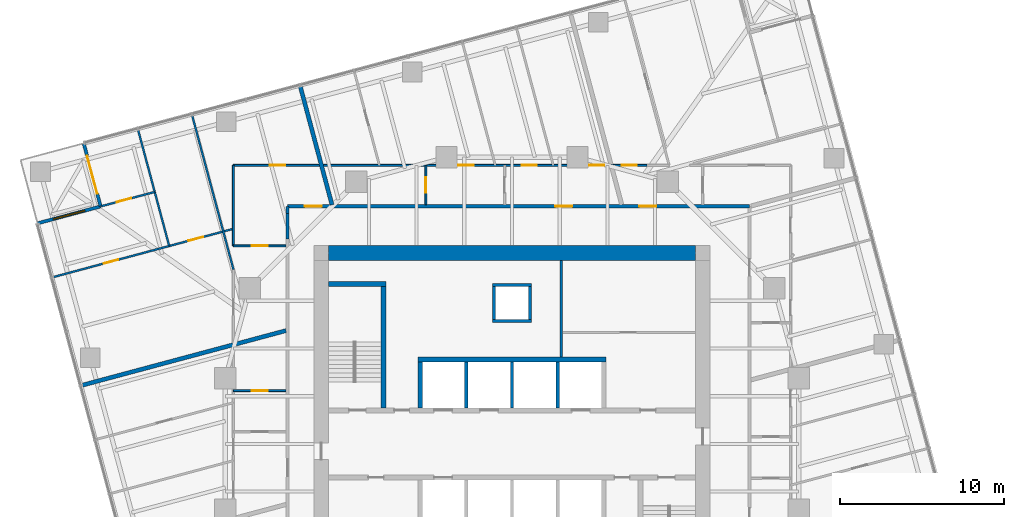
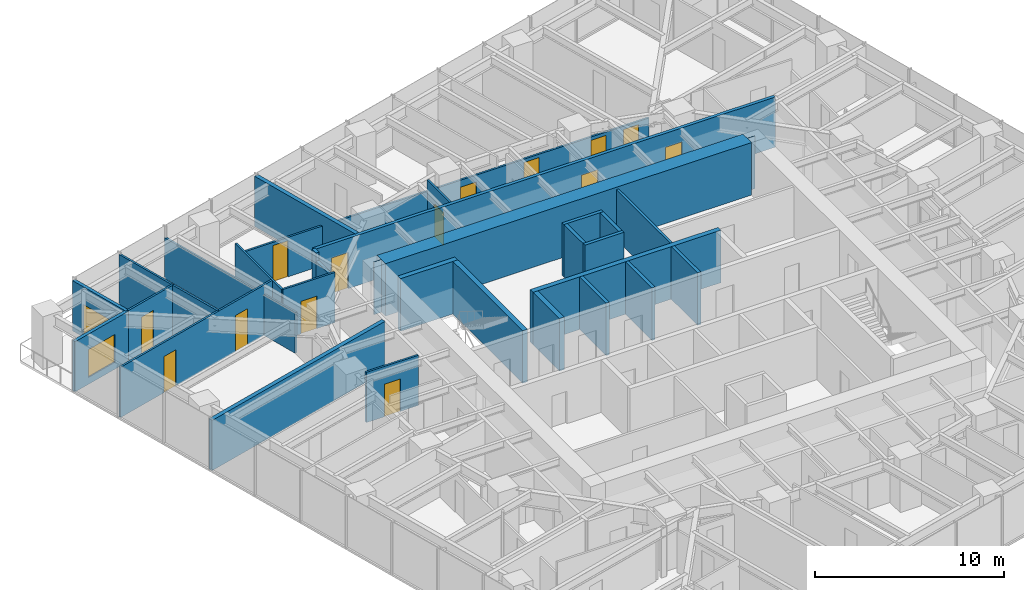
# One storey, part 11 of 13: 29 walls, 15 doors, 1 window, 16 openings.
"""IFC4 building model written with IfcOpenShell, lengths in metres."""

from ifc_helpers import new_model, si_unit, direction, frame, frame_2d, origin, place, context, subcontext, project, spatial, polyline, rectangle, outline, extrude, material, layer, layer_set, type_object, element, fill, save


model = new_model("IFC4")

# Units and contexts
model_context = context("Model", 3, precision=1e-05, world=origin(), true_north=direction((0.0, 1.0)))
body_context = subcontext(model_context, "Body", "Model", "MODEL_VIEW")
ifc_project = project(units=[si_unit("LENGTHUNIT", "METRE"), si_unit("AREAUNIT", "SQUARE_METRE"), si_unit("VOLUMEUNIT", "CUBIC_METRE"), si_unit("PLANEANGLEUNIT", "RADIAN"), si_unit("MASSUNIT", "GRAM", prefix="KILO")], contexts=[model_context])

# Site, building, storey
site_placement = place(None, origin())
site = spatial("IfcSite", under=ifc_project, at=site_placement, CompositionType="ELEMENT")
building_placement = place(site_placement, origin())
building = spatial("IfcBuilding", under=site, at=building_placement, Name="Torsade Residences", CompositionType="ELEMENT")
storey_placement = place(building_placement, frame((0.0, 0.0, 115.0)))
storey = spatial("IfcBuildingStorey", under=building, at=storey_placement, Name="L31", CompositionType="ELEMENT", Elevation=115.0)

# Walls
ifc_material_1 = material(Name="Concrete 80 MPa", Category="concrete")
ifc_layer_1 = layer(ifc_material_1, 0.300048828125)
ifc_layer_set_1 = layer_set([ifc_layer_1], Name="Concrete 80 MPa")
wall_type_1 = type_object("IfcWallType", Name="CORE INTERNAL WALL 300", PredefinedType="SHEAR", material=ifc_layer_set_1)
wall_1_placement = place(storey_placement, frame((34.25, 35.14990234375, 0.0), z_axis=(0.0, 0.0, 1.0), x_axis=(1.0, 0.0, 0.0)))
element("IfcWall", 1, at=wall_1_placement, inside=storey, type_object=wall_type_1, Name="Core wall BN L31", PredefinedType="SHEAR", context=body_context, shape_type="SweptSolid", body=[
    extrude(rectangle(XDim=11.5, YDim=0.300048828125, at=frame_2d((5.75, 0.0))), origin(), (0.0, 0.0, 1.0), 3.39990234375),
])
wall_2_placement = place(storey_placement, frame((34.39990234375, 32.199951171875, 0.0), z_axis=(0.0, 0.0, 1.0), x_axis=(0.0, 1.0, 0.0)))
element("IfcWall", 2, at=wall_2_placement, inside=storey, type_object=wall_type_1, Name="Core wall DN0 L31", PredefinedType="SHEAR", context=body_context, shape_type="SweptSolid", body=[
    extrude(rectangle(XDim=2.800048828125, YDim=0.300048828125, at=frame_2d((1.39990234375, 0.0))), origin(), (0.0, 0.0, 1.0), 3.39990234375),
])
wall_3_placement = place(storey_placement, frame((32.14990234375, 32.199951171875, 0.0), z_axis=(0.0, 0.0, 1.0), x_axis=(0.0, 1.0, 0.0)))
element("IfcWall", 3, at=wall_3_placement, inside=storey, type_object=wall_type_1, Name="Core wall ST1E L31", PredefinedType="SHEAR", context=body_context, shape_type="SweptSolid", body=[
    extrude(rectangle(XDim=7.699951171875, YDim=0.300048828125, at=frame_2d((3.85009765625, 0.0))), origin(), (0.0, 0.0, 1.0), 3.39990234375),
])
wall_4_placement = place(storey_placement, frame((28.800048828125, 39.75, 0.0), z_axis=(0.0, 0.0, 1.0), x_axis=(1.0, 0.0, 0.0)))
element("IfcWall", 4, at=wall_4_placement, inside=storey, type_object=wall_type_1, Name="Core wall ST1N L31", PredefinedType="SHEAR", context=body_context, shape_type="SweptSolid", body=[
    extrude(rectangle(XDim=3.5, YDim=0.300048828125, at=frame_2d((1.75, 0.0))), origin(), (0.0, 0.0, 1.0), 3.39990234375),
])
ifc_material_2 = material(Name="Concrete 80 MPa", Category="concrete")
ifc_layer_2 = layer(ifc_material_2, 0.89990234375)
ifc_layer_set_2 = layer_set([ifc_layer_2], Name="Concrete 80 MPa")
wall_type_2 = type_object("IfcWallType", Name="CORE WALL 900", PredefinedType="SHEAR", material=ifc_layer_set_2)
wall_5_placement = place(storey_placement, frame((28.800048828125, 41.64990234375, 0.0), z_axis=(0.0, 0.0, 1.0), x_axis=(1.0, 0.0, 0.0)))
element("IfcWall", 5, at=wall_5_placement, inside=storey, type_object=wall_type_2, Name="Core wall N L31", PredefinedType="SHEAR", context=body_context, shape_type="SweptSolid", body=[
    extrude(outline(polyline([(0.0, -0.449951171875), (22.39990234375, -0.449951171875), (22.39990234375, -0.02490234375), (22.849853515625, -0.02490234375), (22.849853515625, 0.02490234375), (22.39990234375, 0.02490234375), (22.39990234375, 0.449951171875), (0.0, 0.449951171875), (0.0, 0.02490234375), (-0.449951171875, 0.02490234375), (-0.449951171875, -0.02490234375), (0.0, -0.02490234375), (0.0, -0.449951171875)])), origin(), (0.0, 0.0, 1.0), 3.39990234375),
])

# Wall, openings, doors
ifc_material_3 = material(Name="Plasterboard on steel stud", Category="steel")
ifc_layer_3 = layer(ifc_material_3, 0.199951171875)
ifc_layer_set_3 = layer_set([ifc_layer_3], Name="Plasterboard on steel stud")
wall_type_3 = type_object("IfcWallType", Name="CORRIDOR WALL 200", PredefinedType="PARTITIONING", material=ifc_layer_set_3)
wall_6_placement = place(storey_placement, frame((54.5, 44.5, 0.0), z_axis=(0.0, 0.0, 1.0), x_axis=(-1.0, 0.0, 0.0)))
wall_6 = element("IfcWall", 6, at=wall_6_placement, inside=storey, type_object=wall_type_3, Name="Corridor wall L31", PredefinedType="PARTITIONING", context=body_context, shape_type="SweptSolid", body=[
    extrude(rectangle(XDim=28.199951171875, YDim=0.199951171875, at=frame_2d((14.10009765625, 0.0))), origin(), (0.0, 0.0, 1.0), 3.25),
])
opening_1_placement = place(wall_6_placement, frame((10.8369140625, 0.0, 0.0)))
opening_1 = element("IfcOpeningElement", 7, at=opening_1_placement, cuts=wall_6, Name="Opening D01", PredefinedType="OPENING", context=body_context, shape_type="SweptSolid", body=[
    extrude(rectangle(XDim=1.02001953125, YDim=2.340087890625, at=frame_2d((0.510009765625, 1.169921875))), frame((0.0, 0.10986328125, 0.0), z_axis=(0.0, -1.0, 0.0), x_axis=(1.0, 0.0, 0.0)), (0.0, 0.0, 1.0), 0.219970703125),
])
opening_2_placement = place(wall_6_placement, frame((5.699951171875, 0.0, 0.0)))
opening_2 = element("IfcOpeningElement", 8, at=opening_2_placement, cuts=wall_6, Name="Opening D01", PredefinedType="OPENING", context=body_context, shape_type="SweptSolid", body=[
    extrude(rectangle(XDim=1.02001953125, YDim=2.340087890625, at=frame_2d((0.510009765625, 1.169921875))), frame((0.0, 0.10986328125, 0.0), z_axis=(0.0, -1.0, 0.0), x_axis=(1.0, 0.0, 0.0)), (0.0, 0.0, 1.0), 0.219970703125),
])
opening_3_placement = place(wall_6_placement, frame((26.126953125, 0.0, 0.0)))
opening_3 = element("IfcOpeningElement", 9, at=opening_3_placement, cuts=wall_6, Name="Opening D01", PredefinedType="OPENING", context=body_context, shape_type="SweptSolid", body=[
    extrude(rectangle(XDim=1.02001953125, YDim=2.340087890625, at=frame_2d((0.510009765625, 1.169921875))), frame((0.0, 0.10986328125, 0.0), z_axis=(0.0, -1.0, 0.0), x_axis=(1.0, 0.0, 0.0)), (0.0, 0.0, 1.0), 0.219970703125),
])
ifc_material_4 = material(Name="Solid-core timber fire door", Category="wood")
door_type_1 = type_object("IfcDoorType", Name="APARTMENT ENTRY DOOR 1020x2340", OperationType="NOTDEFINED", PredefinedType="DOOR", material=ifc_material_4)
door_1_placement = place(opening_1_placement, origin())
door_1 = element("IfcDoor", 10, at=door_1_placement, inside=storey, type_object=door_type_1, Name="Door Residential corridor to Kitchen and dining", OperationType="SINGLE_SWING_RIGHT", OverallHeight=2.340087890625, OverallWidth=1.02001953125, PredefinedType="DOOR", context=body_context, shape_type="SweptSolid", body=[
    extrude(rectangle(XDim=1.02001953125, YDim=2.340087890625, at=frame_2d((0.510009765625, 1.169921875))), frame((0.0, 0.02490234375, 0.0), z_axis=(0.0, -1.0, 0.0), x_axis=(1.0, 0.0, 0.0)), (0.0, 0.0, 1.0), 0.050048828125),
])
fill(opening_1, door_1)
door_2_placement = place(opening_2_placement, origin())
door_2 = element("IfcDoor", 11, at=door_2_placement, inside=storey, type_object=door_type_1, Name="Door Residential corridor to Kitchen and dining", OperationType="SINGLE_SWING_RIGHT", OverallHeight=2.340087890625, OverallWidth=1.02001953125, PredefinedType="DOOR", context=body_context, shape_type="SweptSolid", body=[
    extrude(rectangle(XDim=1.02001953125, YDim=2.340087890625, at=frame_2d((0.510009765625, 1.169921875))), frame((0.0, 0.02490234375, 0.0), z_axis=(0.0, -1.0, 0.0), x_axis=(1.0, 0.0, 0.0)), (0.0, 0.0, 1.0), 0.050048828125),
])
fill(opening_2, door_2)
door_3_placement = place(opening_3_placement, origin())
door_3 = element("IfcDoor", 12, at=door_3_placement, inside=storey, type_object=door_type_1, Name="Door Residential corridor to Kitchen and dining", OperationType="SINGLE_SWING_RIGHT", OverallHeight=2.340087890625, OverallWidth=1.02001953125, PredefinedType="DOOR", context=body_context, shape_type="SweptSolid", body=[
    extrude(rectangle(XDim=1.02001953125, YDim=2.340087890625, at=frame_2d((0.510009765625, 1.169921875))), frame((0.0, 0.02490234375, 0.0), z_axis=(0.0, -1.0, 0.0), x_axis=(1.0, 0.0, 0.0)), (0.0, 0.0, 1.0), 0.050048828125),
])
fill(opening_3, door_3)

# Walls
wall_7_placement = place(storey_placement, frame((26.300048828125, 44.5, 0.0), z_axis=(0.0, 0.0, 1.0), x_axis=(0.0, -1.0, 0.0)))
element("IfcWall", 13, at=wall_7_placement, inside=storey, type_object=wall_type_3, Name="Corridor wall L31", PredefinedType="PARTITIONING", context=body_context, shape_type="SweptSolid", body=[
    extrude(rectangle(XDim=0.426025390625, YDim=0.199951171875, at=frame_2d((0.212890625, 0.0))), origin(), (0.0, 0.0, 1.0), 3.25),
])
wall_8_placement = place(storey_placement, frame((26.300048828125, 44.073974609375, 0.0), z_axis=(0.0, 0.0, 1.0), x_axis=(0.0, -1.0, 0.0)))
element("IfcWall", 14, at=wall_8_placement, inside=storey, type_object=wall_type_3, Name="Corridor wall L31", PredefinedType="PARTITIONING", context=body_context, shape_type="SweptSolid", body=[
    extrude(rectangle(XDim=1.553955078125, YDim=0.199951171875, at=frame_2d((0.77685546875, 0.0))), origin(), (0.0, 0.0, 1.0), 2.721923828125),
])
ifc_material_5 = material(Name="Reinforced blockwork", Category="masonry")
ifc_layer_4 = layer(ifc_material_5, 0.199951171875)
ifc_layer_set_4 = layer_set([ifc_layer_4], Name="Reinforced blockwork")
wall_type_4 = type_object("IfcWallType", Name="LIFT SHAFT DIVIDING WALL 200", PredefinedType="SOLIDWALL", material=ifc_layer_set_4)
for number, where, z_axis, x_axis, name in (
    (15, (37.199951171875, 32.199951171875, 0.0), (0.0, 0.0, 1.0), (0.0, 1.0, 0.0), "Core wall DN1 L31"),
    (16, (40.0, 32.199951171875, 0.0), (0.0, 0.0, 1.0), (0.0, 1.0, 0.0), "Core wall DN2 L31"),
    (17, (42.800048828125, 32.199951171875, 0.0), (0.0, 0.0, 1.0), (0.0, 1.0, 0.0), "Core wall DN3 L31"),
):
    element("IfcWall", number, at=place(storey_placement, frame(where, z_axis=z_axis, x_axis=x_axis)), inside=storey, type_object=wall_type_4, Name=name, PredefinedType="SOLIDWALL", context=body_context, shape_type="SweptSolid", body=[
        extrude(rectangle(XDim=2.800048828125, YDim=0.199951171875, at=frame_2d((1.39990234375, 0.0))), origin(), (0.0, 0.0, 1.0), 3.39990234375),
    ])

# Wall, openings, doors
ifc_material_6 = material(Name="Plasterboard on steel stud", Category="steel")
ifc_layer_5 = layer(ifc_material_6, 0.1201171875)
ifc_layer_set_5 = layer_set([ifc_layer_5], Name="Plasterboard on steel stud")
wall_type_5 = type_object("IfcWallType", Name="PARTITION 120", PredefinedType="PARTITIONING", material=ifc_layer_set_5)
wall_9_placement = place(storey_placement, frame((23.0, 47.0, 0.0), z_axis=(0.0, 0.0, 1.0), x_axis=(1.0, 0.0, 0.0)))
wall_9 = element("IfcWall", 18, at=wall_9_placement, inside=storey, type_object=wall_type_5, Name="Partition L31", PredefinedType="PARTITIONING", context=body_context, shape_type="SweptSolid", body=[
    extrude(rectangle(XDim=25.24072265625, YDim=0.1201171875, at=frame_2d((12.620361328125, 0.0))), origin(), (0.0, 0.0, 1.0), 2.550048828125),
])
opening_4_placement = place(wall_9_placement, frame((21.701904296875, 0.0, 0.0)))
opening_4 = element("IfcOpeningElement", 19, at=opening_4_placement, cuts=wall_9, Name="Opening D02", PredefinedType="OPENING", context=body_context, shape_type="SweptSolid", body=[
    extrude(rectangle(XDim=0.919921875, YDim=2.340087890625, at=frame_2d((0.4599609375, 1.169921875))), frame((0.0, 0.070068359375, 0.0), z_axis=(0.0, -1.0, 0.0), x_axis=(1.0, 0.0, 0.0)), (0.0, 0.0, 1.0), 0.14013671875),
])
opening_5_placement = place(wall_9_placement, frame((17.59765625, 0.0, 0.0)))
opening_5 = element("IfcOpeningElement", 20, at=opening_5_placement, cuts=wall_9, Name="Opening D02", PredefinedType="OPENING", context=body_context, shape_type="SweptSolid", body=[
    extrude(rectangle(XDim=0.919921875, YDim=2.340087890625, at=frame_2d((0.4599609375, 1.169921875))), frame((0.0, 0.070068359375, 0.0), z_axis=(0.0, -1.0, 0.0), x_axis=(1.0, 0.0, 0.0)), (0.0, 0.0, 1.0), 0.14013671875),
])
opening_6_placement = place(wall_9_placement, frame((23.688720703125, 0.0, 0.0)))
opening_6 = element("IfcOpeningElement", 21, at=opening_6_placement, cuts=wall_9, Name="Opening D02", PredefinedType="OPENING", context=body_context, shape_type="SweptSolid", body=[
    extrude(rectangle(XDim=0.919921875, YDim=2.340087890625, at=frame_2d((0.4599609375, 1.169921875))), frame((0.0, 0.070068359375, 0.0), z_axis=(0.0, -1.0, 0.0), x_axis=(1.0, 0.0, 0.0)), (0.0, 0.0, 1.0), 0.14013671875),
])
opening_7_placement = place(wall_9_placement, frame((2.225341796875, 0.0, 0.0)))
opening_7 = element("IfcOpeningElement", 22, at=opening_7_placement, cuts=wall_9, Name="Opening D02", PredefinedType="OPENING", context=body_context, shape_type="SweptSolid", body=[
    extrude(rectangle(XDim=0.919921875, YDim=2.340087890625, at=frame_2d((0.4599609375, 1.169921875))), frame((0.0, 0.070068359375, 0.0), z_axis=(0.0, -1.0, 0.0), x_axis=(1.0, 0.0, 0.0)), (0.0, 0.0, 1.0), 0.14013671875),
])
opening_8_placement = place(wall_9_placement, frame((13.709228515625, 0.0, 0.0)))
opening_8 = element("IfcOpeningElement", 23, at=opening_8_placement, cuts=wall_9, Name="Opening D05", PredefinedType="OPENING", context=body_context, shape_type="SweptSolid", body=[
    extrude(rectangle(XDim=0.9599609375, YDim=2.10009765625, at=frame_2d((0.47998046875, 1.050048828125))), frame((0.0, 0.070068359375, 0.0), z_axis=(0.0, -1.0, 0.0), x_axis=(1.0, 0.0, 0.0)), (0.0, 0.0, 1.0), 0.14013671875),
])
ifc_material_7 = material(Name="Hollow-core timber door in a steel cavity frame", Category="steel")
door_type_2 = type_object("IfcDoorType", Name="BATHROOM CAVITY SLIDING DOOR 960", OperationType="SLIDING_TO_LEFT", PredefinedType="DOOR", material=ifc_material_7)
door_4_placement = place(opening_8_placement, origin())
door_4 = element("IfcDoor", 24, at=door_4_placement, inside=storey, type_object=door_type_2, Name="Door Ensuite to Living room", OperationType="SLIDING_TO_LEFT", OverallHeight=2.10009765625, OverallWidth=0.9599609375, PredefinedType="DOOR", context=body_context, shape_type="SweptSolid", body=[
    extrude(rectangle(XDim=0.9599609375, YDim=2.10009765625, at=frame_2d((0.47998046875, 1.050048828125))), frame((0.0, 0.02490234375, 0.0), z_axis=(0.0, -1.0, 0.0), x_axis=(1.0, 0.0, 0.0)), (0.0, 0.0, 1.0), 0.050048828125),
])
fill(opening_8, door_4)
ifc_material_8 = material(Name="Hollow-core timber door", Category="wood")
door_type_3 = type_object("IfcDoorType", Name="INTERNAL DOOR 920x2340", OperationType="NOTDEFINED", PredefinedType="DOOR", material=ifc_material_8)
door_5_placement = place(opening_4_placement, origin())
door_5 = element("IfcDoor", 25, at=door_5_placement, inside=storey, type_object=door_type_3, Name="Door Kitchen and dining to Bedroom 1", OperationType="SINGLE_SWING_LEFT", OverallHeight=2.340087890625, OverallWidth=0.919921875, PredefinedType="DOOR", context=body_context, shape_type="SweptSolid", body=[
    extrude(rectangle(XDim=0.919921875, YDim=2.340087890625, at=frame_2d((0.4599609375, 1.169921875))), frame((0.0, 0.02490234375, 0.0), z_axis=(0.0, -1.0, 0.0), x_axis=(1.0, 0.0, 0.0)), (0.0, 0.0, 1.0), 0.050048828125),
])
fill(opening_4, door_5)
door_6_placement = place(opening_5_placement, origin())
door_6 = element("IfcDoor", 26, at=door_6_placement, inside=storey, type_object=door_type_3, Name="Door Kitchen and dining to Bedroom 2", OperationType="SINGLE_SWING_RIGHT", OverallHeight=2.340087890625, OverallWidth=0.919921875, PredefinedType="DOOR", context=body_context, shape_type="SweptSolid", body=[
    extrude(rectangle(XDim=0.919921875, YDim=2.340087890625, at=frame_2d((0.4599609375, 1.169921875))), frame((0.0, 0.02490234375, 0.0), z_axis=(0.0, -1.0, 0.0), x_axis=(1.0, 0.0, 0.0)), (0.0, 0.0, 1.0), 0.050048828125),
])
fill(opening_5, door_6)
door_7_placement = place(opening_6_placement, origin())
door_7 = element("IfcDoor", 27, at=door_7_placement, inside=storey, type_object=door_type_3, Name="Door Kitchen and dining to Bedroom 1", OperationType="SINGLE_SWING_LEFT", OverallHeight=2.340087890625, OverallWidth=0.919921875, PredefinedType="DOOR", context=body_context, shape_type="SweptSolid", body=[
    extrude(rectangle(XDim=0.919921875, YDim=2.340087890625, at=frame_2d((0.4599609375, 1.169921875))), frame((0.0, 0.02490234375, 0.0), z_axis=(0.0, -1.0, 0.0), x_axis=(1.0, 0.0, 0.0)), (0.0, 0.0, 1.0), 0.050048828125),
])
fill(opening_6, door_7)
door_8_placement = place(opening_7_placement, origin())
door_8 = element("IfcDoor", 28, at=door_8_placement, inside=storey, type_object=door_type_3, Name="Door Kitchen and dining to Bedroom 1", OperationType="SINGLE_SWING_RIGHT", OverallHeight=2.340087890625, OverallWidth=0.919921875, PredefinedType="DOOR", context=body_context, shape_type="SweptSolid", body=[
    extrude(rectangle(XDim=0.919921875, YDim=2.340087890625, at=frame_2d((0.4599609375, 1.169921875))), frame((0.0, 0.02490234375, 0.0), z_axis=(0.0, -1.0, 0.0), x_axis=(1.0, 0.0, 0.0)), (0.0, 0.0, 1.0), 0.050048828125),
])
fill(opening_7, door_8)

# Wall, opening, door
wall_10_placement = place(storey_placement, frame((34.74462890625, 47.0, 0.0), z_axis=(0.0, 0.0, 1.0), x_axis=(0.0, -1.0, 0.0)))
wall_10 = element("IfcWall", 29, at=wall_10_placement, inside=storey, type_object=wall_type_5, Name="Partition L31", PredefinedType="PARTITIONING", context=body_context, shape_type="SweptSolid", body=[
    extrude(rectangle(XDim=2.39990234375, YDim=0.1201171875, at=frame_2d((1.199951171875, 0.0))), origin(), (0.0, 0.0, 1.0), 3.25),
])
opening_9_placement = place(wall_10_placement, frame((0.719970703125, 0.0, 0.0)))
opening_9 = element("IfcOpeningElement", 30, at=opening_9_placement, cuts=wall_10, Name="Opening D05", PredefinedType="OPENING", context=body_context, shape_type="SweptSolid", body=[
    extrude(rectangle(XDim=0.9599609375, YDim=2.10009765625, at=frame_2d((0.47998046875, 1.050048828125))), frame((0.0, 0.070068359375, 0.0), z_axis=(0.0, -1.0, 0.0), x_axis=(1.0, 0.0, 0.0)), (0.0, 0.0, 1.0), 0.14013671875),
])
door_9_placement = place(opening_9_placement, origin())
door_9 = element("IfcDoor", 31, at=door_9_placement, inside=storey, type_object=door_type_2, Name="Door Ensuite to Bathroom", OperationType="SLIDING_TO_LEFT", OverallHeight=2.10009765625, OverallWidth=0.9599609375, PredefinedType="DOOR", context=body_context, shape_type="SweptSolid", body=[
    extrude(rectangle(XDim=0.9599609375, YDim=2.10009765625, at=frame_2d((0.47998046875, 1.050048828125))), frame((0.0, 0.02490234375, 0.0), z_axis=(0.0, -1.0, 0.0), x_axis=(1.0, 0.0, 0.0)), (0.0, 0.0, 1.0), 0.050048828125),
])
fill(opening_9, door_9)

wall_11_placement = place(storey_placement, frame((26.199951171875, 42.088623046875, 0.0), z_axis=(0.0, 0.0, 1.0), x_axis=(-1.0, 0.0, 0.0)))
wall_11 = element("IfcWall", 32, at=wall_11_placement, inside=storey, type_object=wall_type_5, Name="Partition L31", PredefinedType="PARTITIONING", context=body_context, shape_type="SweptSolid", body=[
    extrude(rectangle(XDim=3.199951171875, YDim=0.1201171875, at=frame_2d((1.60009765625, 0.0))), origin(), (0.0, 0.0, 1.0), 3.25),
])
opening_10_placement = place(wall_11_placement, frame((1.1201171875, 0.0, 0.0)))
opening_10 = element("IfcOpeningElement", 33, at=opening_10_placement, cuts=wall_11, Name="Opening D05", PredefinedType="OPENING", context=body_context, shape_type="SweptSolid", body=[
    extrude(rectangle(XDim=0.9599609375, YDim=2.10009765625, at=frame_2d((0.47998046875, 1.050048828125))), frame((0.0, 0.070068359375, 0.0), z_axis=(0.0, -1.0, 0.0), x_axis=(1.0, 0.0, 0.0)), (0.0, 0.0, 1.0), 0.14013671875),
])
door_10_placement = place(opening_10_placement, origin())
door_10 = element("IfcDoor", 34, at=door_10_placement, inside=storey, type_object=door_type_2, Name="Door Kitchen and dining to Bathroom", OperationType="SLIDING_TO_LEFT", OverallHeight=2.10009765625, OverallWidth=0.9599609375, PredefinedType="DOOR", context=body_context, shape_type="SweptSolid", body=[
    extrude(rectangle(XDim=0.9599609375, YDim=2.10009765625, at=frame_2d((0.47998046875, 1.050048828125))), frame((0.0, 0.02490234375, 0.0), z_axis=(0.0, -1.0, 0.0), x_axis=(1.0, 0.0, 0.0)), (0.0, 0.0, 1.0), 0.050048828125),
])
fill(opening_10, door_10)

# Walls
wall_12_placement = place(storey_placement, frame((23.0, 42.088623046875, 0.0), z_axis=(0.0, 0.0, 1.0), x_axis=(0.0, 1.0, 0.0)))
element("IfcWall", 35, at=wall_12_placement, inside=storey, type_object=wall_type_5, Name="Partition L31", PredefinedType="PARTITIONING", context=body_context, shape_type="SweptSolid", body=[
    extrude(rectangle(XDim=4.911376953125, YDim=0.1201171875, at=frame_2d((2.45556640625, 0.0))), origin(), (0.0, 0.0, 1.0), 3.25),
])
wall_13_placement = place(storey_placement, frame((23.0, 40.6396484375, 0.0), z_axis=(0.0, 0.0, 1.0), x_axis=(-0.258790139317, 0.965933571108, 0.0)))
element("IfcWall", 36, at=wall_13_placement, inside=storey, type_object=wall_type_5, Name="Partition L31", PredefinedType="PARTITIONING", context=body_context, shape_type="SweptSolid", body=[
    extrude(rectangle(XDim=9.782958984375, YDim=0.1201171875, at=frame_2d((4.8916015625, 0.0))), origin(), (0.0, 0.0, 1.0), 2.637939453125),
])

# Wall, openings, doors
wall_14_placement = place(storey_placement, frame((11.951904296875, 40.17041015625, 0.0), z_axis=(0.0, 0.0, 1.0), x_axis=(0.965923183761, 0.258828906952, 0.0)))
wall_14 = element("IfcWall", 37, at=wall_14_placement, inside=storey, type_object=wall_type_5, Name="Partition L31", PredefinedType="PARTITIONING", context=body_context, shape_type="SweptSolid", body=[
    extrude(rectangle(XDim=11.437744140625, YDim=0.1201171875, at=frame_2d((5.71875, 0.0))), origin(), (0.0, 0.0, 1.0), 3.25),
])
opening_11_placement = place(wall_14_placement, frame((3.2333984375, 0.0, 0.0)))
opening_11 = element("IfcOpeningElement", 38, at=opening_11_placement, cuts=wall_14, Name="Opening D02", PredefinedType="OPENING", context=body_context, shape_type="SweptSolid", body=[
    extrude(rectangle(XDim=0.919921875, YDim=2.340087890625, at=frame_2d((0.4599609375, 1.169921875))), frame((0.0, 0.070068359375, 0.0), z_axis=(0.0, -1.0, 0.0), x_axis=(1.0, 0.0, 0.0)), (0.0, 0.0, 1.0), 0.14013671875),
])
opening_12_placement = place(wall_14_placement, frame((8.60009765625, 0.0, 0.0)))
opening_12 = element("IfcOpeningElement", 39, at=opening_12_placement, cuts=wall_14, Name="Opening D02", PredefinedType="OPENING", context=body_context, shape_type="SweptSolid", body=[
    extrude(rectangle(XDim=0.919921875, YDim=2.340087890625, at=frame_2d((0.4599609375, 1.169921875))), frame((0.0, 0.070068359375, 0.0), z_axis=(0.0, -1.0, 0.0), x_axis=(1.0, 0.0, 0.0)), (0.0, 0.0, 1.0), 0.14013671875),
])
door_11_placement = place(opening_11_placement, origin())
door_11 = element("IfcDoor", 40, at=door_11_placement, inside=storey, type_object=door_type_3, Name="Door Living room to Bedroom 3", OperationType="SINGLE_SWING_RIGHT", OverallHeight=2.340087890625, OverallWidth=0.919921875, PredefinedType="DOOR", context=body_context, shape_type="SweptSolid", body=[
    extrude(rectangle(XDim=0.919921875, YDim=2.340087890625, at=frame_2d((0.4599609375, 1.169921875))), frame((0.0, 0.02490234375, 0.0), z_axis=(0.0, -1.0, 0.0), x_axis=(1.0, 0.0, 0.0)), (0.0, 0.0, 1.0), 0.050048828125),
])
fill(opening_11, door_11)
door_12_placement = place(opening_12_placement, origin())
door_12 = element("IfcDoor", 41, at=door_12_placement, inside=storey, type_object=door_type_3, Name="Door Living room to Bedroom 2", OperationType="SINGLE_SWING_LEFT", OverallHeight=2.340087890625, OverallWidth=0.919921875, PredefinedType="DOOR", context=body_context, shape_type="SweptSolid", body=[
    extrude(rectangle(XDim=0.919921875, YDim=2.340087890625, at=frame_2d((0.4599609375, 1.169921875))), frame((0.0, 0.02490234375, 0.0), z_axis=(0.0, -1.0, 0.0), x_axis=(1.0, 0.0, 0.0)), (0.0, 0.0, 1.0), 0.050048828125),
])
fill(opening_12, door_12)

# Wall
wall_15_placement = place(storey_placement, frame((19.077392578125, 42.079833984375, 0.0), z_axis=(0.0, 0.0, 1.0), x_axis=(-0.258846923464, 0.965918355874, 0.0)))
element("IfcWall", 42, at=wall_15_placement, inside=storey, type_object=wall_type_5, Name="Partition L31", PredefinedType="PARTITIONING", context=body_context, shape_type="SweptSolid", body=[
    extrude(rectangle(XDim=7.376708984375, YDim=0.1201171875, at=frame_2d((3.6884765625, 0.0))), origin(), (0.0, 0.0, 1.0), 3.25),
])

# Wall, opening, door
wall_16_placement = place(storey_placement, frame((14.931396484375, 44.506103515625, 0.0), z_axis=(0.0, 0.0, 1.0), x_axis=(0.96593546512, 0.258783069815, 0.0)))
wall_16 = element("IfcWall", 43, at=wall_16_placement, inside=storey, type_object=wall_type_5, Name="Partition L31", PredefinedType="PARTITIONING", context=body_context, shape_type="SweptSolid", body=[
    extrude(rectangle(XDim=3.37646484375, YDim=0.1201171875, at=frame_2d((1.688232421875, 0.0))), origin(), (0.0, 0.0, 1.0), 3.25),
])
opening_13_placement = place(wall_16_placement, frame((0.971435546875, 0.0, 0.0)))
opening_13 = element("IfcOpeningElement", 44, at=opening_13_placement, cuts=wall_16, Name="Opening D02", PredefinedType="OPENING", context=body_context, shape_type="SweptSolid", body=[
    extrude(rectangle(XDim=0.919921875, YDim=2.340087890625, at=frame_2d((0.4599609375, 1.169921875))), frame((0.0, 0.070068359375, 0.0), z_axis=(0.0, -1.0, 0.0), x_axis=(1.0, 0.0, 0.0)), (0.0, 0.0, 1.0), 0.14013671875),
])
door_13_placement = place(opening_13_placement, origin())
door_13 = element("IfcDoor", 45, at=door_13_placement, inside=storey, type_object=door_type_3, Name="Door Bedroom 3 to Study", OperationType="SINGLE_SWING_RIGHT", OverallHeight=2.340087890625, OverallWidth=0.919921875, PredefinedType="DOOR", context=body_context, shape_type="SweptSolid", body=[
    extrude(rectangle(XDim=0.919921875, YDim=2.340087890625, at=frame_2d((0.4599609375, 1.169921875))), frame((0.0, 0.02490234375, 0.0), z_axis=(0.0, -1.0, 0.0), x_axis=(1.0, 0.0, 0.0)), (0.0, 0.0, 1.0), 0.050048828125),
])
fill(opening_13, door_13)

wall_17_placement = place(storey_placement, frame((26.199951171875, 33.2529296875, 0.0), z_axis=(0.0, 0.0, 1.0), x_axis=(-1.0, 0.0, 0.0)))
wall_17 = element("IfcWall", 46, at=wall_17_placement, inside=storey, type_object=wall_type_5, Name="Partition L31", PredefinedType="PARTITIONING", context=body_context, shape_type="SweptSolid", body=[
    extrude(rectangle(XDim=3.199951171875, YDim=0.1201171875, at=frame_2d((1.60009765625, 0.0))), origin(), (0.0, 0.0, 1.0), 3.25),
])
opening_14_placement = place(wall_17_placement, frame((1.1201171875, 0.0, 0.0)))
opening_14 = element("IfcOpeningElement", 47, at=opening_14_placement, cuts=wall_17, Name="Opening D05", PredefinedType="OPENING", context=body_context, shape_type="SweptSolid", body=[
    extrude(rectangle(XDim=0.9599609375, YDim=2.10009765625, at=frame_2d((0.47998046875, 1.050048828125))), frame((0.0, 0.070068359375, 0.0), z_axis=(0.0, -1.0, 0.0), x_axis=(1.0, 0.0, 0.0)), (0.0, 0.0, 1.0), 0.14013671875),
])
door_14_placement = place(opening_14_placement, origin())
door_14 = element("IfcDoor", 48, at=door_14_placement, inside=storey, type_object=door_type_2, Name="Door Ensuite to Bathroom", OperationType="SLIDING_TO_LEFT", OverallHeight=2.10009765625, OverallWidth=0.9599609375, PredefinedType="DOOR", context=body_context, shape_type="SweptSolid", body=[
    extrude(rectangle(XDim=0.9599609375, YDim=2.10009765625, at=frame_2d((0.47998046875, 1.050048828125))), frame((0.0, 0.02490234375, 0.0), z_axis=(0.0, -1.0, 0.0), x_axis=(1.0, 0.0, 0.0)), (0.0, 0.0, 1.0), 0.050048828125),
])
fill(opening_14, door_14)

# Walls
ifc_material_9 = material(Name="Masonry-lined stud party wall", Category="masonry")
ifc_layer_6 = layer(ifc_material_9, 0.25)
ifc_layer_set_6 = layer_set([ifc_layer_6], Name="Masonry-lined stud party wall")
wall_type_6 = type_object("IfcWallType", Name="PARTY WALL 250", PredefinedType="PARTITIONING", material=ifc_layer_set_6)
wall_18_placement = place(storey_placement, frame((27.058349609375, 51.896484375, 0.0), z_axis=(0.0, 0.0, 1.0), x_axis=(0.258822171171, -0.965924988656, 0.0)))
element("IfcWall", 49, at=wall_18_placement, inside=storey, type_object=wall_type_6, Name="Party wall L31", PredefinedType="PARTITIONING", context=body_context, shape_type="SweptSolid", body=[
    extrude(rectangle(XDim=7.560302734375, YDim=0.25, at=frame_2d((3.7802734375, 0.0))), origin(), (0.0, 0.0, 1.0), 3.25),
])
wall_19_placement = place(storey_placement, frame((13.681884765625, 33.5595703125, 0.0), z_axis=(0.0, 0.0, 1.0), x_axis=(0.965924854576, 0.258822671559, 0.0)))
element("IfcWall", 50, at=wall_19_placement, inside=storey, type_object=wall_type_6, Name="Party wall L31", PredefinedType="PARTITIONING", context=body_context, shape_type="SweptSolid", body=[
    extrude(rectangle(XDim=12.96630859375, YDim=0.25, at=frame_2d((6.483154296875, 0.0))), origin(), (0.0, 0.0, 1.0), 3.25),
])
ifc_material_10 = material(Name="Reinforced blockwork", Category="masonry")
ifc_layer_7 = layer(ifc_material_10, 0.199951171875)
ifc_layer_set_7 = layer_set([ifc_layer_7], Name="Reinforced blockwork")
wall_type_7 = type_object("IfcWallType", Name="RISER SHAFT WALL 200", PredefinedType="SOLIDWALL", material=ifc_layer_set_7)
for number, where, z_axis, x_axis, name in (
    (51, (38.89990234375, 37.60009765625, 0.0), (0.0, 0.0, 1.0), (0.0, 1.0, 0.0), "Core wall RS1a L31"),
    (52, (41.10009765625, 37.60009765625, 0.0), (0.0, 0.0, 1.0), (0.0, 1.0, 0.0), "Core wall RS1b L31"),
):
    element("IfcWall", number, at=place(storey_placement, frame(where, z_axis=z_axis, x_axis=x_axis)), inside=storey, type_object=wall_type_7, Name=name, PredefinedType="SOLIDWALL", context=body_context, shape_type="SweptSolid", body=[
        extrude(rectangle(XDim=2.0, YDim=0.199951171875, at=frame_2d((1.0, 0.0))), origin(), (0.0, 0.0, 1.0), 3.39990234375),
    ])
for number, where, z_axis, x_axis, name in (
    (53, (38.800048828125, 37.5, 0.0), (0.0, 0.0, 1.0), (1.0, 0.0, 0.0), "Core wall RS1c L31"),
    (54, (38.800048828125, 39.699951171875, 0.0), (0.0, 0.0, 1.0), (1.0, 0.0, 0.0), "Core wall RS1d L31"),
):
    element("IfcWall", number, at=place(storey_placement, frame(where, z_axis=z_axis, x_axis=x_axis)), inside=storey, type_object=wall_type_7, Name=name, PredefinedType="SOLIDWALL", context=body_context, shape_type="SweptSolid", body=[
        extrude(rectangle(XDim=2.39990234375, YDim=0.199951171875, at=frame_2d((1.199951171875, 0.0))), origin(), (0.0, 0.0, 1.0), 3.39990234375),
    ])
ifc_material_11 = material(Name="Reinforced blockwork", Category="masonry")
ifc_layer_8 = layer(ifc_material_11, 0.14990234375)
ifc_layer_set_8 = layer_set([ifc_layer_8], Name="Reinforced blockwork")
wall_type_8 = type_object("IfcWallType", Name="SERVICE ROOM WALL 150", PredefinedType="SOLIDWALL", material=ifc_layer_set_8)
wall_20_placement = place(storey_placement, frame((43.0, 41.199951171875, 0.0), z_axis=(0.0, 0.0, 1.0), x_axis=(0.0, -1.0, 0.0)))
element("IfcWall", 55, at=wall_20_placement, inside=storey, type_object=wall_type_8, Name="Service room wall L31", PredefinedType="SOLIDWALL", context=body_context, shape_type="SweptSolid", body=[
    extrude(rectangle(XDim=5.89990234375, YDim=0.14990234375, at=frame_2d((2.949951171875, 0.0))), origin(), (0.0, 0.0, 1.0), 3.25),
])

# Wall, opening, door
ifc_material_12 = material(Name="Stone-faced precast concrete 40 MPa panel", Category="masonry")
ifc_layer_9 = layer(ifc_material_12, 0.199951171875)
ifc_layer_set_9 = layer_set([ifc_layer_9], Name="Stone-faced precast concrete 40 MPa panel")
wall_type_9 = type_object("IfcWallType", Name="TERRACE WALL 200", PredefinedType="SOLIDWALL", material=ifc_layer_set_9)
wall_21_placement = place(storey_placement, frame((13.857421875, 48.359375, 0.0), z_axis=(0.0, 0.0, 1.0), x_axis=(0.258843877716, -0.965919172068, 0.0)))
wall_21 = element("IfcWall", 56, at=wall_21_placement, inside=storey, type_object=wall_type_9, Name="Terrace wall L31 8", PredefinedType="SOLIDWALL", context=body_context, shape_type="SweptSolid", body=[
    extrude(rectangle(XDim=4.0, YDim=0.199951171875, at=frame_2d((2.0, 0.0))), origin(), (0.0, 0.0, 1.0), 3.25),
])
opening_15_placement = place(wall_21_placement, frame((0.800048828125, 0.0, 0.0)))
opening_15 = element("IfcOpeningElement", 57, at=opening_15_placement, cuts=wall_21, Name="Opening D10A", PredefinedType="OPENING", context=body_context, shape_type="SweptSolid", body=[
    extrude(rectangle(XDim=2.39990234375, YDim=2.10009765625, at=frame_2d((1.199951171875, 1.050048828125))), frame((0.0, 0.10986328125, 0.0), z_axis=(0.0, -1.0, 0.0), x_axis=(1.0, 0.0, 0.0)), (0.0, 0.0, 1.0), 0.219970703125),
])
ifc_material_13 = material(Name="Aluminium-framed glass door", Category="aluminium")
door_type_4 = type_object("IfcDoorType", Name="TERRACE SLIDING DOOR 2400x2100", OperationType="SLIDING_TO_LEFT", PredefinedType="DOOR", material=ifc_material_13)
door_15_placement = place(opening_15_placement, origin())
door_15 = element("IfcDoor", 58, at=door_15_placement, inside=storey, type_object=door_type_4, Name="Terrace door L31 8", OperationType="SLIDING_TO_LEFT", OverallHeight=2.10009765625, OverallWidth=2.39990234375, PredefinedType="DOOR", context=body_context, shape_type="SweptSolid", body=[
    extrude(rectangle(XDim=2.39990234375, YDim=2.10009765625, at=frame_2d((1.199951171875, 1.050048828125))), frame((0.0, 0.02490234375, 0.0), z_axis=(0.0, -1.0, 0.0), x_axis=(1.0, 0.0, 0.0)), (0.0, 0.0, 1.0), 0.050048828125),
])
fill(opening_15, door_15)

# Wall, opening, window
wall_22_placement = place(storey_placement, frame((14.892822265625, 44.49560546875, 0.0), z_axis=(0.0, 0.0, 1.0), x_axis=(-0.965934430412, -0.258786931944, 0.0)))
wall_22 = element("IfcWall", 59, at=wall_22_placement, inside=storey, type_object=wall_type_9, Name="Terrace wall L31 9", PredefinedType="SOLIDWALL", context=body_context, shape_type="SweptSolid", body=[
    extrude(rectangle(XDim=4.0, YDim=0.199951171875, at=frame_2d((2.0, 0.0))), origin(), (0.0, 0.0, 1.0), 3.25),
])
opening_16_placement = place(wall_22_placement, frame((1.0, 0.0, 0.449951171875)))
opening_16 = element("IfcOpeningElement", 60, at=opening_16_placement, cuts=wall_22, Name="Opening W1B", PredefinedType="OPENING", context=body_context, shape_type="SweptSolid", body=[
    extrude(rectangle(XDim=2.0, YDim=1.800048828125, at=frame_2d((1.0, 0.89990234375))), frame((0.0, 0.10986328125, 0.0), z_axis=(0.0, -1.0, 0.0), x_axis=(1.0, 0.0, 0.0)), (0.0, 0.0, 1.0), 0.219970703125),
])
ifc_material_14 = material(Name="Aluminium-framed glass window", Category="aluminium")
window_type = type_object("IfcWindowType", Name="TERRACE WINDOW 2000x1800", PartitioningType="SINGLE_PANEL", PredefinedType="WINDOW", material=ifc_material_14)
window_placement = place(opening_16_placement, origin())
window = element("IfcWindow", 61, at=window_placement, inside=storey, type_object=window_type, Name="Terrace window L31 9", OverallHeight=1.800048828125, OverallWidth=2.0, PartitioningType="SINGLE_PANEL", PredefinedType="WINDOW", context=body_context, shape_type="SweptSolid", body=[
    extrude(rectangle(XDim=2.0, YDim=1.800048828125, at=frame_2d((1.0, 0.89990234375))), frame((0.0, 0.030029296875, 0.0), z_axis=(0.0, -1.0, 0.0), x_axis=(1.0, 0.0, 0.0)), (0.0, 0.0, 1.0), 0.06005859375),
])
fill(opening_16, window)

save(model, "model.ifc")
